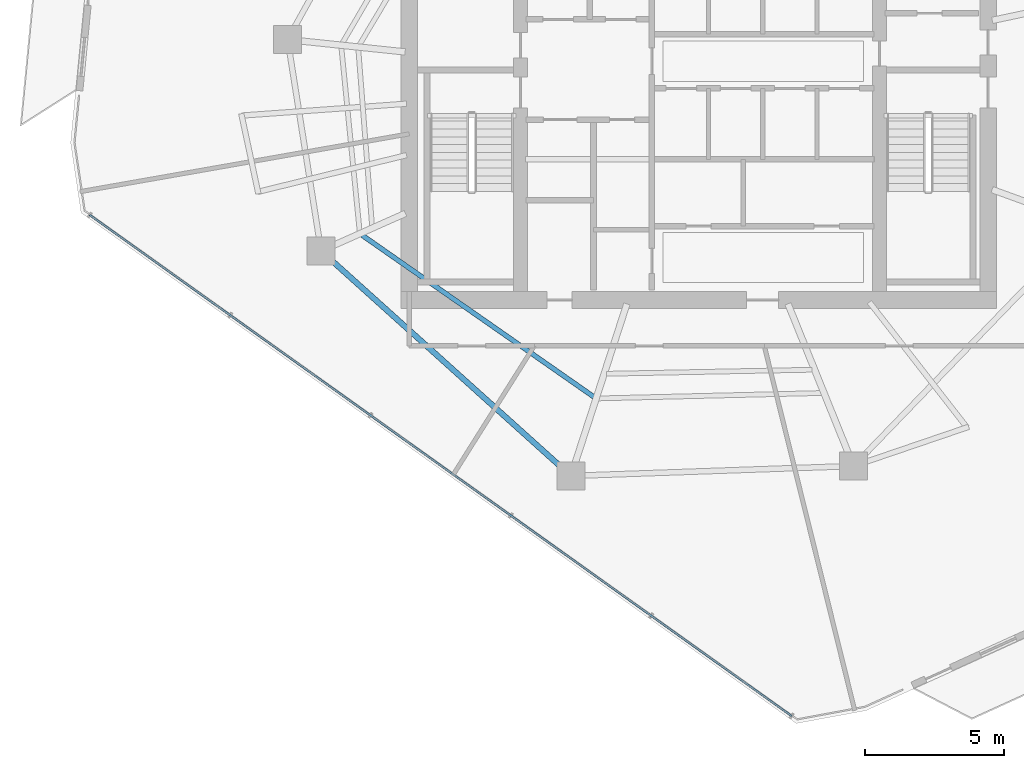
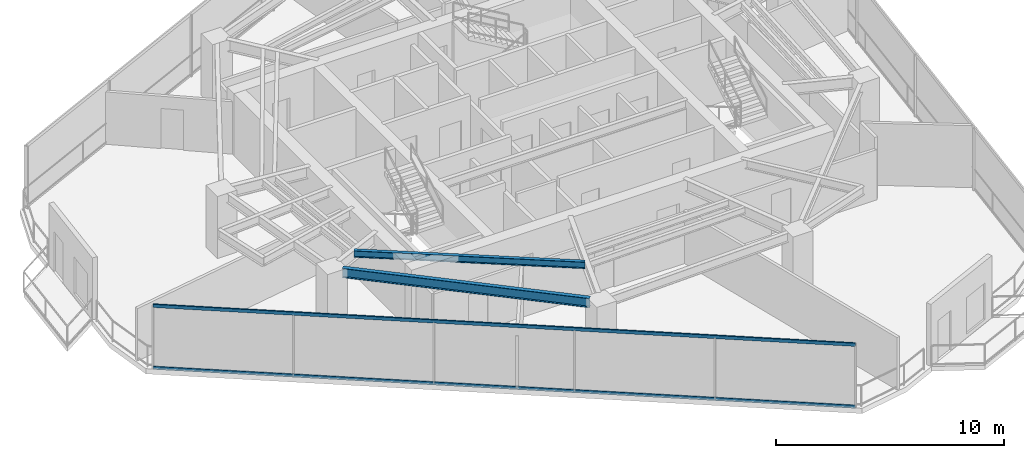
# One storey, part 3 of 21: 2 beams, 2 members, 1 element without a shape of its own.
"""IFC4 building model written with IfcOpenShell, lengths in metres."""

from ifc_helpers import new_model, si_unit, direction, frame, origin, origin_2d, place, context, subcontext, project, spatial, hollow_rectangle, i_section, extrude, material, layer, layer_set, material_profile, profile_set, type_object, element, aggregate, save


model = new_model("IFC4")

# Units and contexts
model_context = context("Model", 3, precision=1e-05, world=origin(), true_north=direction((0.0, 1.0)))
body_context = subcontext(model_context, "Body", "Model", "MODEL_VIEW")
ifc_project = project(units=[si_unit("LENGTHUNIT", "METRE"), si_unit("AREAUNIT", "SQUARE_METRE"), si_unit("VOLUMEUNIT", "CUBIC_METRE"), si_unit("PLANEANGLEUNIT", "RADIAN"), si_unit("MASSUNIT", "GRAM", prefix="KILO")], contexts=[model_context])

# Site, building, storey
site_placement = place(None, origin())
site = spatial("IfcSite", under=ifc_project, at=site_placement, CompositionType="ELEMENT")
building_placement = place(site_placement, origin())
building = spatial("IfcBuilding", under=site, at=building_placement, Name="Qarnah Convention Tower", CompositionType="ELEMENT")
storey_placement = place(building_placement, frame((0.0, 0.0, 158.10009765625)))
storey = spatial("IfcBuildingStorey", under=building, at=storey_placement, Name="L42", CompositionType="ELEMENT", Elevation=158.10009765625)

# Beams
ifc_material_1 = material(Name="Structural steel S355JR", Category="steel")
ifc_material_profile_1 = material_profile(ifc_material_1, i_section(OverallWidth=0.172119140625, OverallDepth=0.35595703125, WebThickness=0.007080078125, FlangeThickness=0.011962890625, at=origin_2d()), Name="W360X51")
ifc_profile_set_1 = profile_set([ifc_material_profile_1], Name="Structural steel S355JR")
beam_type_1 = type_object("IfcBeamType", Name="BM-JST-W360", PredefinedType="JOIST", material=ifc_profile_set_1)
beam_1_placement = place(storey_placement, frame((25.10107421875, 20.928955078125, 3.141845703125), z_axis=(0.820110709976, -0.572204878852, 0.0), x_axis=(0.572204878852, 0.820110709976, 0.0)))
element("IfcBeam", 1, at=beam_1_placement, inside=storey, type_object=beam_type_1, Name="L42 joist BM-L42-SJST-06", PredefinedType="JOIST", context=body_context, shape_type="SweptSolid", body=[
    extrude(i_section(OverallWidth=0.172119140625, OverallDepth=0.35595703125, WebThickness=0.007080078125, FlangeThickness=0.011962890625, at=origin_2d()), origin(), (0.0, 0.0, 1.0), 10.169189453125),
])
ifc_material_profile_2 = material_profile(ifc_material_1, i_section(OverallWidth=0.199951171875, OverallDepth=0.5, WebThickness=0.010009765625, FlangeThickness=0.01611328125, at=origin_2d()), Name="IPE500")
ifc_profile_set_2 = profile_set([ifc_material_profile_2], Name="Structural steel S355JR")
beam_type_2 = type_object("IfcBeamType", Name="BM-SPN-IPE500", PredefinedType="SPANDREL", material=ifc_profile_set_2)
beam_2_placement = place(storey_placement, frame((23.998046875, 20.031982421875, 3.06982421875), z_axis=(0.743165079224, -0.66910811161, 0.0), x_axis=(0.66910811161, 0.743165079224, 0.0)))
element("IfcBeam", 2, at=beam_2_placement, inside=storey, type_object=beam_type_2, Name="L42 spandrel BM-L42-SPN-06", PredefinedType="SPANDREL", context=body_context, shape_type="SweptSolid", body=[
    extrude(i_section(OverallWidth=0.199951171875, OverallDepth=0.5, WebThickness=0.010009765625, FlangeThickness=0.01611328125, at=origin_2d()), origin(), (0.0, 0.0, 1.0), 11.099853515625),
])

# Curtain wall, members
ifc_material_2 = material(Name="Tempered Low-E dark glass", Category="glass")
ifc_layer = layer(ifc_material_2, 0.172119140625)
ifc_layer_set = layer_set([ifc_layer], Name="Tempered Low-E dark glass")
curtain_wall_type = type_object("IfcCurtainWallType", Name="CWS-03", PredefinedType="NOTDEFINED", material=ifc_layer_set)
curtain_wall_placement = place(storey_placement, origin())
curtain_wall = element("IfcCurtainWall", 3, at=curtain_wall_placement, inside=storey, type_object=curtain_wall_type, Name="L42 unitised curtain wall CW-L42-F2", PredefinedType="NOTDEFINED")
ifc_material_3 = material(Name="Black anodised aluminium", Category="aluminium")
ifc_material_profile_3 = material_profile(ifc_material_3, hollow_rectangle(XDim=0.070068359375, YDim=0.169921875, WallThickness=0.0048828125, at=origin_2d()), Name="TRN-70X170")
ifc_profile_set_3 = profile_set([ifc_material_profile_3], Name="Black anodised aluminium")
member_type = type_object("IfcMemberType", Name="TRN-T3", PredefinedType="USERDEFINED", material=ifc_profile_set_3)
member_1_placement = place(storey_placement, frame((40.533935546875, 3.654052734375, 0.0), z_axis=(-0.813916099284, 0.580982429446, 0.0), x_axis=(-0.580982429446, -0.813916099284, 0.0)))
member_1 = element("IfcMember", 4, at=member_1_placement, type_object=member_type, Name="CW-L42-F2 transom 1", ObjectType="TRANSOM", PredefinedType="USERDEFINED", context=body_context, shape_type="SweptSolid", body=[
    extrude(hollow_rectangle(XDim=0.070068359375, YDim=0.169921875, WallThickness=0.0048828125, at=origin_2d()), origin(), (0.0, 0.0, 1.0), 30.974853515625),
])
member_2_placement = place(storey_placement, frame((40.533935546875, 3.654052734375, 3.31982421875), z_axis=(-0.813916099284, 0.580982429446, 0.0), x_axis=(-0.580982429446, -0.813916099284, 0.0)))
member_2 = element("IfcMember", 5, at=member_2_placement, type_object=member_type, Name="CW-L42-F2 transom 2", ObjectType="TRANSOM", PredefinedType="USERDEFINED", context=body_context, shape_type="SweptSolid", body=[
    extrude(hollow_rectangle(XDim=0.070068359375, YDim=0.169921875, WallThickness=0.0048828125, at=origin_2d()), origin(), (0.0, 0.0, 1.0), 30.974853515625),
])
aggregate(curtain_wall, [member_1, member_2])

save(model, "model.ifc")
